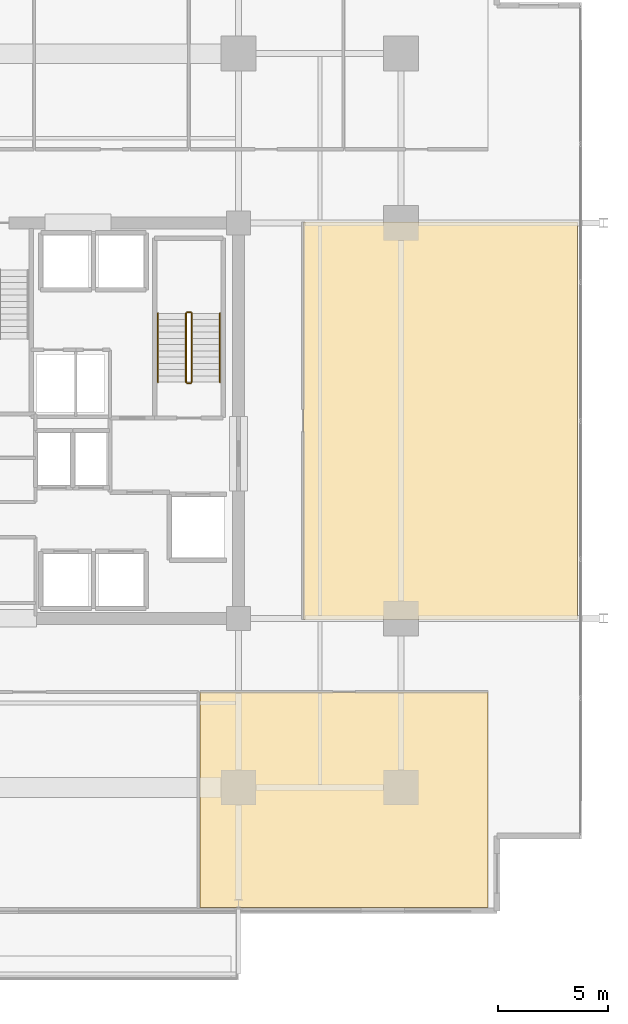
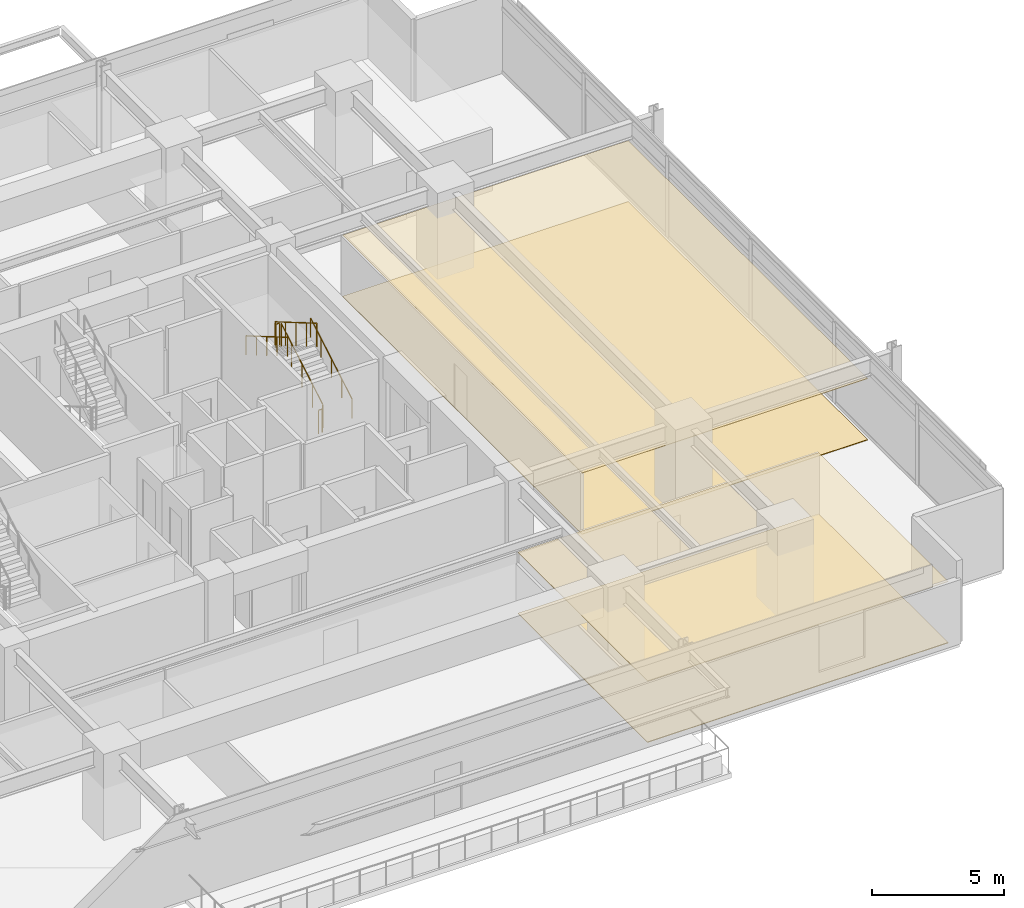
# One storey, part 21 of 23: 6 railings, 4 coverings.
"""IFC4 building model written with IfcOpenShell, lengths in metres."""

from ifc_helpers import new_model, si_unit, direction, frame, origin, origin_2d, place, context, subcontext, project, spatial, polyline, circle, outline, extrude, material, layer, layer_set, type_object, element, save


model = new_model("IFC4")

# Units and contexts
model_context = context("Model", 3, precision=1e-05, world=origin(), true_north=direction((0.0, 1.0)))
body_context = subcontext(model_context, "Body", "Model", "MODEL_VIEW")
ifc_project = project(units=[si_unit("LENGTHUNIT", "METRE"), si_unit("AREAUNIT", "SQUARE_METRE"), si_unit("VOLUMEUNIT", "CUBIC_METRE"), si_unit("PLANEANGLEUNIT", "RADIAN"), si_unit("MASSUNIT", "GRAM", prefix="KILO")], contexts=[model_context])

# Site, building, storey
site_placement = place(None, origin())
site = spatial("IfcSite", under=ifc_project, at=site_placement, CompositionType="ELEMENT")
building_placement = place(site_placement, origin())
building = spatial("IfcBuilding", under=site, at=building_placement, Name="Kovane Verandah Tower", CompositionType="ELEMENT")
storey_placement = place(building_placement, frame((0.0, 0.0, 148.39990234375)))
storey = spatial("IfcBuildingStorey", under=building, at=storey_placement, Name="L34", CompositionType="ELEMENT", Elevation=148.39990234375)

# Coverings
ifc_material_1 = material(Name="Perforated Acoustic Mineral-Fibre Ceiling Tile", Category="gypsum")
ifc_layer_1 = layer(ifc_material_1, 0.02490234375)
ifc_layer_set_1 = layer_set([ifc_layer_1], Name="Perforated Acoustic Mineral-Fibre Ceiling Tile")
covering_type_1 = type_object("IfcCoveringType", Name="CV-CEIL-25", PredefinedType="CEILING", material=ifc_layer_set_1)
covering_1_placement = place(storey_placement, frame((0.0, 0.0, 2.8251953125)))
element("IfcCovering", 1, at=covering_1_placement, inside=storey, type_object=covering_type_1, Name="L34 Meeting Room S3 Acoustic Ceiling", PredefinedType="CEILING", context=body_context, shape_type="SweptSolid", body=[
    extrude(outline(polyline([(49.242919921875, 5.346435546875), (62.363525390625, 5.346435546875), (62.363525390625, 15.14990234375), (49.242919921875, 15.14990234375), (49.242919921875, 5.346435546875)])), origin(), (0.0, 0.0, 1.0), 0.02490234375),
])
covering_2_placement = place(storey_placement, frame((0.0, 0.0, 2.8251953125)))
element("IfcCovering", 2, at=covering_2_placement, inside=storey, type_object=covering_type_1, Name="L34 Breakout Pantry E1 Acoustic Ceiling", PredefinedType="CEILING", context=body_context, shape_type="SweptSolid", body=[
    extrude(outline(polyline([(53.949951171875, 18.449951171875), (66.41357421875, 18.449951171875), (66.41357421875, 36.550048828125), (53.949951171875, 36.550048828125), (53.949951171875, 18.449951171875)])), origin(), (0.0, 0.0, 1.0), 0.02490234375),
])
ifc_material_2 = material(Name="Polished Terrazzo and Raised-Access Carpet Tile Finish", Category="concrete")
ifc_layer_2 = layer(ifc_material_2, 0.030029296875)
ifc_layer_set_2 = layer_set([ifc_layer_2], Name="Polished Terrazzo and Raised-Access Carpet Tile Finish")
covering_type_2 = type_object("IfcCoveringType", Name="CV-FLOR-30", PredefinedType="FLOORING", material=ifc_layer_set_2)
covering_3_placement = place(storey_placement, origin())
element("IfcCovering", 3, at=covering_3_placement, inside=storey, type_object=covering_type_2, Name="L34 Meeting Room S3 Floor Finish", PredefinedType="FLOORING", context=body_context, shape_type="SweptSolid", body=[
    extrude(outline(polyline([(49.242919921875, 5.346435546875), (62.363525390625, 5.346435546875), (62.363525390625, 15.14990234375), (49.242919921875, 15.14990234375), (49.242919921875, 5.346435546875)])), origin(), (0.0, 0.0, 1.0), 0.030029296875),
])
covering_4_placement = place(storey_placement, origin())
element("IfcCovering", 4, at=covering_4_placement, inside=storey, type_object=covering_type_2, Name="L34 Breakout Pantry E1 Floor Finish", PredefinedType="FLOORING", context=body_context, shape_type="SweptSolid", body=[
    extrude(outline(polyline([(53.949951171875, 18.449951171875), (66.41357421875, 18.449951171875), (66.41357421875, 36.550048828125), (53.949951171875, 36.550048828125), (53.949951171875, 18.449951171875)])), origin(), (0.0, 0.0, 1.0), 0.030029296875),
])

# Railings
ifc_material_3 = material(Name="Brushed Stainless Steel Handrail", Category="steel")
railing_type_1 = type_object("IfcRailingType", Name="RL-HAND-920", PredefinedType="HANDRAIL", material=ifc_material_3)
railing_1_placement = place(storey_placement, frame((50.14990234375, 29.25, 0.166748046875)))
element("IfcRailing", 5, at=railing_1_placement, inside=storey, type_object=railing_type_1, Name="L34 ST-02 stair handrail 1", PredefinedType="HANDRAIL", context=body_context, shape_type="SweptSolid", body=[
    extrude(circle(Radius=0.02392578125, at=origin_2d()), frame((0.0, 0.0, 0.8759765625), z_axis=(0.0, 0.863239559939, 0.504794475164), x_axis=(-1.0, 0.0, 0.0)), (0.0, 0.0, 1.0), 3.631591796875),
    extrude(circle(Radius=0.02099609375, at=origin_2d()), origin(), (0.0, 0.0, 1.0), 0.851806640625),
    extrude(circle(Radius=0.02099609375, at=origin_2d()), frame((0.0, 0.78369140625, 0.458251953125)), (0.0, 0.0, 1.0), 0.851806640625),
    extrude(circle(Radius=0.02099609375, at=origin_2d()), frame((0.0, 1.5673828125, 0.91650390625)), (0.0, 0.0, 1.0), 0.851806640625),
    extrude(circle(Radius=0.02099609375, at=origin_2d()), frame((0.0, 2.351318359375, 1.375)), (0.0, 0.0, 1.0), 0.851806640625),
    extrude(circle(Radius=0.02099609375, at=origin_2d()), frame((0.0, 3.135009765625, 1.833251953125)), (0.0, 0.0, 1.0), 0.851806640625),
])
railing_2_placement = place(storey_placement, frame((47.330078125, 32.385009765625, 2.166748046875)))
element("IfcRailing", 6, at=railing_2_placement, inside=storey, type_object=railing_type_1, Name="L34 ST-02 stair handrail 2", PredefinedType="HANDRAIL", context=body_context, shape_type="SweptSolid", body=[
    extrude(circle(Radius=0.02392578125, at=origin_2d()), frame((0.0, 0.0, 0.8759765625), z_axis=(0.0, -0.863239559939, 0.504794475164), x_axis=(1.0, 0.0, 0.0)), (0.0, 0.0, 1.0), 3.631591796875),
    extrude(circle(Radius=0.02099609375, at=origin_2d()), origin(), (0.0, 0.0, 1.0), 0.851806640625),
    extrude(circle(Radius=0.02099609375, at=origin_2d()), frame((0.0, -0.78369140625, 0.458251953125)), (0.0, 0.0, 1.0), 0.851806640625),
    extrude(circle(Radius=0.02099609375, at=origin_2d()), frame((0.0, -1.5673828125, 0.91650390625)), (0.0, 0.0, 1.0), 0.851806640625),
    extrude(circle(Radius=0.02099609375, at=origin_2d()), frame((0.0, -2.351318359375, 1.375)), (0.0, 0.0, 1.0), 0.851806640625),
    extrude(circle(Radius=0.02099609375, at=origin_2d()), frame((0.0, -3.135009765625, 1.833251953125)), (0.0, 0.0, 1.0), 0.851806640625),
])
ifc_material_4 = material(Name="Painted Steel Stairwell Guardrail", Category="steel")
railing_type_2 = type_object("IfcRailingType", Name="RL-STGUARD-1120", PredefinedType="GUARDRAIL", material=ifc_material_4)
railing_3_placement = place(storey_placement, frame((48.8701171875, 29.25, 0.166748046875)))
element("IfcRailing", 7, at=railing_3_placement, inside=storey, type_object=railing_type_2, Name="L34 ST-02 stair guard 1", PredefinedType="GUARDRAIL", context=body_context, shape_type="SweptSolid", body=[
    extrude(circle(Radius=0.02392578125, at=origin_2d()), frame((0.0, 0.0, 1.076171875), z_axis=(0.0, 0.863239559939, 0.504794475164), x_axis=(-1.0, 0.0, 0.0)), (0.0, 0.0, 1.0), 3.631591796875),
    extrude(circle(Radius=0.02099609375, at=origin_2d()), origin(), (0.0, 0.0, 1.0), 1.052001953125),
    extrude(circle(Radius=0.02099609375, at=origin_2d()), frame((0.0, 0.78369140625, 0.458251953125)), (0.0, 0.0, 1.0), 1.052001953125),
    extrude(circle(Radius=0.02099609375, at=origin_2d()), frame((0.0, 1.5673828125, 0.91650390625)), (0.0, 0.0, 1.0), 1.052001953125),
    extrude(circle(Radius=0.02099609375, at=origin_2d()), frame((0.0, 2.351318359375, 1.375)), (0.0, 0.0, 1.0), 1.052001953125),
    extrude(circle(Radius=0.02099609375, at=origin_2d()), frame((0.0, 3.135009765625, 1.833251953125)), (0.0, 0.0, 1.0), 1.052001953125),
])
railing_4_placement = place(storey_placement, frame((48.820068359375, 32.43505859375, 2.0)))
element("IfcRailing", 8, at=railing_4_placement, inside=storey, type_object=railing_type_2, Name="L34 ST-02 stair guard 2", PredefinedType="GUARDRAIL", context=body_context, shape_type="SweptSolid", body=[
    extrude(circle(Radius=0.02392578125, at=origin_2d()), frame((0.0, 0.0, 1.076171875), z_axis=(-1.0, 0.0, 0.0), x_axis=(0.0, -1.0, 0.0)), (0.0, 0.0, 1.0), 0.16015625),
    extrude(circle(Radius=0.02099609375, at=origin_2d()), origin(), (0.0, 0.0, 1.0), 1.052001953125),
    extrude(circle(Radius=0.02099609375, at=origin_2d()), frame((-0.16015625, 0.0, 0.0)), (0.0, 0.0, 1.0), 1.052001953125),
])
railing_5_placement = place(storey_placement, frame((48.610107421875, 32.385009765625, 2.166748046875)))
element("IfcRailing", 9, at=railing_5_placement, inside=storey, type_object=railing_type_2, Name="L34 ST-02 stair guard 3", PredefinedType="GUARDRAIL", context=body_context, shape_type="SweptSolid", body=[
    extrude(circle(Radius=0.02392578125, at=origin_2d()), frame((0.0, 0.0, 1.076171875), z_axis=(0.0, -0.863239559939, 0.504794475164), x_axis=(1.0, 0.0, 0.0)), (0.0, 0.0, 1.0), 3.631591796875),
    extrude(circle(Radius=0.02099609375, at=origin_2d()), origin(), (0.0, 0.0, 1.0), 1.052001953125),
    extrude(circle(Radius=0.02099609375, at=origin_2d()), frame((0.0, -0.78369140625, 0.458251953125)), (0.0, 0.0, 1.0), 1.052001953125),
    extrude(circle(Radius=0.02099609375, at=origin_2d()), frame((0.0, -1.5673828125, 0.91650390625)), (0.0, 0.0, 1.0), 1.052001953125),
    extrude(circle(Radius=0.02099609375, at=origin_2d()), frame((0.0, -2.351318359375, 1.375)), (0.0, 0.0, 1.0), 1.052001953125),
    extrude(circle(Radius=0.02099609375, at=origin_2d()), frame((0.0, -3.135009765625, 1.833251953125)), (0.0, 0.0, 1.0), 1.052001953125),
])
railing_6_placement = place(storey_placement, frame((48.820068359375, 29.199951171875, 0.0)))
element("IfcRailing", 10, at=railing_6_placement, inside=storey, type_object=railing_type_2, Name="L34 ST-02 stair guard 4", PredefinedType="GUARDRAIL", context=body_context, shape_type="SweptSolid", body=[
    extrude(circle(Radius=0.02392578125, at=origin_2d()), frame((0.0, 0.0, 1.076171875), z_axis=(-1.0, 0.0, 0.0), x_axis=(0.0, -1.0, 0.0)), (0.0, 0.0, 1.0), 0.16015625),
    extrude(circle(Radius=0.02099609375, at=origin_2d()), origin(), (0.0, 0.0, 1.0), 1.052001953125),
    extrude(circle(Radius=0.02099609375, at=origin_2d()), frame((-0.16015625, 0.0, 0.0)), (0.0, 0.0, 1.0), 1.052001953125),
])

save(model, "model.ifc")
